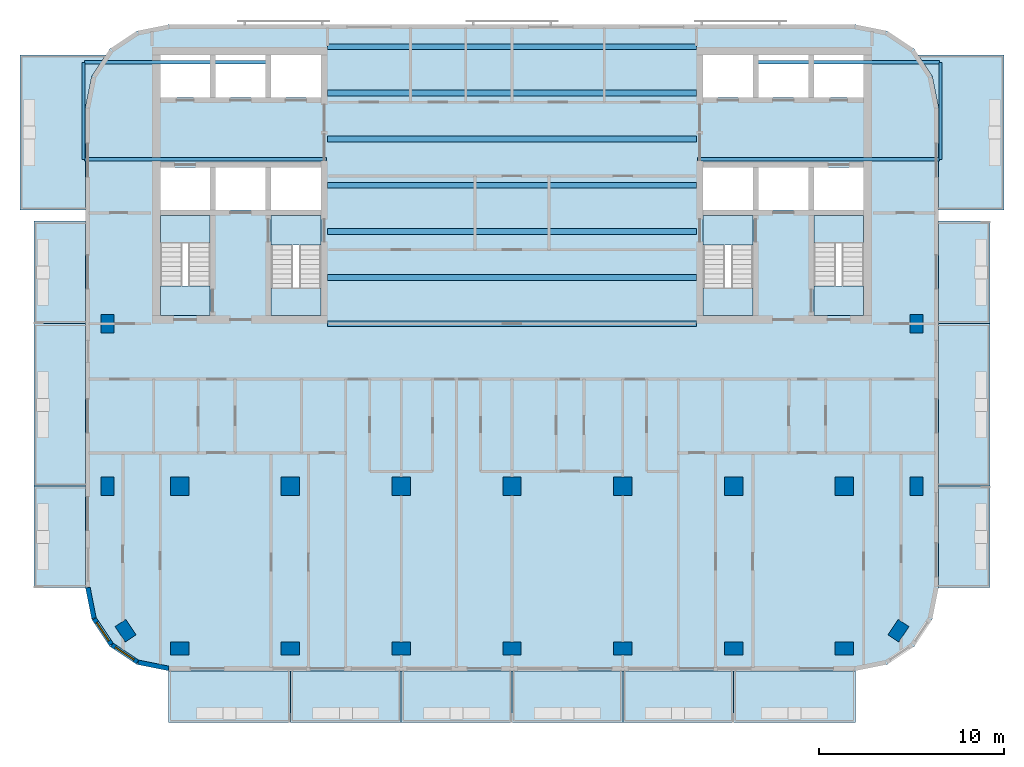
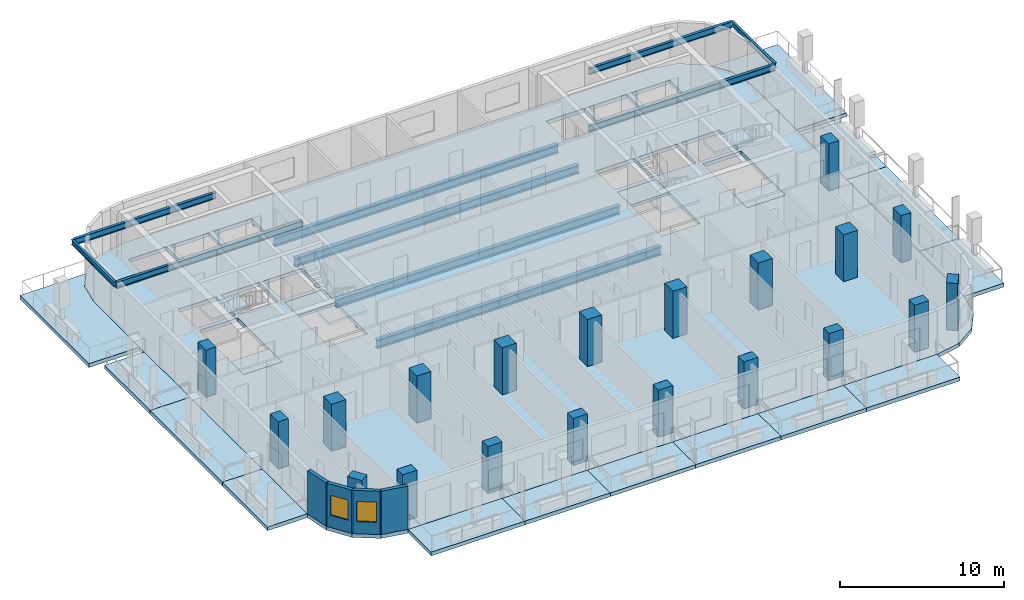
# One storey, part 1 of 11: 23 slabs, 20 columns, 13 beams, 4 walls, 2 windows, 2 openings, 4 elements without a shape of their own.
"""IFC4 building model written with IfcOpenShell, lengths in metres."""

from ifc_helpers import new_model, si_unit, direction, frame, frame_2d, origin, origin_2d, place, context, subcontext, project, spatial, polyline, rectangle, i_section, outline, extrude, material, layer, layer_set, material_profile, profile_set, type_object, element, fill, aggregate, save


model = new_model("IFC4")

# Units and contexts
model_context = context("Model", 3, precision=1e-05, world=origin(), true_north=direction((0.0, 1.0)))
body_context = subcontext(model_context, "Body", "Model", "MODEL_VIEW")
ifc_project = project(units=[si_unit("LENGTHUNIT", "METRE"), si_unit("AREAUNIT", "SQUARE_METRE"), si_unit("VOLUMEUNIT", "CUBIC_METRE"), si_unit("PLANEANGLEUNIT", "RADIAN"), si_unit("MASSUNIT", "GRAM", prefix="KILO")], contexts=[model_context])

# Site, building, storey
site_placement = place(None, origin())
site = spatial("IfcSite", under=ifc_project, at=site_placement, CompositionType="ELEMENT")
building_placement = place(site_placement, origin())
building = spatial("IfcBuilding", under=site, at=building_placement, Name="Torana Hotel and Residences", CompositionType="ELEMENT")
storey_placement = place(building_placement, frame((0.0, 0.0, 270.10009765625)))
storey = spatial("IfcBuildingStorey", under=building, at=storey_placement, Name="L71", CompositionType="ELEMENT", Elevation=270.10009765625)

# Columns
ifc_material_1 = material(Name="Concrete C50/60", Category="concrete")
ifc_material_profile_1 = material_profile(ifc_material_1, rectangle(XDim=1.0, YDim=1.0, at=origin_2d()), Name="RC 1000x1000")
ifc_profile_set_1 = profile_set([ifc_material_profile_1], Name="Concrete C50/60")
column_type_1 = type_object("IfcColumnType", Name="COLUMN RC 1000x1000 C50/60", PredefinedType="COLUMN", material=ifc_profile_set_1)
for number, where, z_axis, x_axis, name in (
    (1, (-18.0, -23.800048828125, 0.0), (0.0, 0.0, 1.0), (1.0, 0.0, 0.0), "Column L71"),
    (2, (-12.0, -23.800048828125, 0.0), (0.0, 0.0, 1.0), (1.0, 0.0, 0.0), "Column L71"),
    (3, (-6.0, -23.800048828125, 0.0), (0.0, 0.0, 1.0), (1.0, 0.0, 0.0), "Column L71"),
    (4, (0.0, -23.800048828125, 0.0), (0.0, 0.0, 1.0), (1.0, 0.0, 0.0), "Column L71"),
    (5, (6.0, -23.800048828125, 0.0), (0.0, 0.0, 1.0), (1.0, 0.0, 0.0), "Column L71"),
    (6, (12.0, -23.800048828125, 0.0), (0.0, 0.0, 1.0), (1.0, 0.0, 0.0), "Column L71"),
    (7, (18.0, -23.800048828125, 0.0), (0.0, 0.0, 1.0), (1.0, 0.0, 0.0), "Column L71"),
):
    element("IfcColumn", number, at=place(storey_placement, frame(where, z_axis=z_axis, x_axis=x_axis)), inside=storey, type_object=column_type_1, Name=name, PredefinedType="COLUMN", context=body_context, shape_type="SweptSolid", body=[
        extrude(rectangle(XDim=1.0, YDim=1.0, at=origin_2d()), origin(), (0.0, 0.0, 1.0), 3.5),
    ])
ifc_material_2 = material(Name="Concrete C50/60", Category="concrete")
ifc_material_profile_2 = material_profile(ifc_material_2, rectangle(XDim=1.0, YDim=0.699951171875, at=origin_2d()), Name="RC 1000x700")
ifc_profile_set_2 = profile_set([ifc_material_profile_2], Name="Concrete C50/60")
column_type_2 = type_object("IfcColumnType", Name="COLUMN RC 1000x700 C50/60", PredefinedType="COLUMN", material=ifc_profile_set_2)
for number, where, z_axis, x_axis, name in (
    (8, (-21.89990234375, -23.800048828125, 0.0), (0.0, 0.0, 1.0), (0.0, 1.0, 0.0), "Column L71"),
    (9, (-21.89990234375, -15.0, 0.0), (0.0, 0.0, 1.0), (0.0, 1.0, 0.0), "Column L71"),
    (10, (-20.93310546875, -31.633056640625, 0.0), (0.0, 0.0, 1.0), (-0.555584744817, 0.831459915646, 0.0), "Column L71"),
    (11, (-18.0, -32.60009765625, 0.0), (0.0, 0.0, 1.0), (1.0, 0.0, 0.0), "Column L71"),
    (12, (-12.0, -32.60009765625, 0.0), (0.0, 0.0, 1.0), (1.0, 0.0, 0.0), "Column L71"),
    (13, (-6.0, -32.60009765625, 0.0), (0.0, 0.0, 1.0), (1.0, 0.0, 0.0), "Column L71"),
    (14, (0.0, -32.60009765625, 0.0), (0.0, 0.0, 1.0), (1.0, 0.0, 0.0), "Column L71"),
    (15, (6.0, -32.60009765625, 0.0), (0.0, 0.0, 1.0), (1.0, 0.0, 0.0), "Column L71"),
    (16, (12.0, -32.60009765625, 0.0), (0.0, 0.0, 1.0), (1.0, 0.0, 0.0), "Column L71"),
    (17, (18.0, -32.60009765625, 0.0), (0.0, 0.0, 1.0), (1.0, 0.0, 0.0), "Column L71"),
    (18, (20.93310546875, -31.633056640625, 0.0), (0.0, 0.0, 1.0), (0.555584744817, 0.831459915646, 0.0), "Column L71"),
    (19, (21.89990234375, -23.800048828125, 0.0), (0.0, 0.0, 1.0), (0.0, 1.0, 0.0), "Column L71"),
    (20, (21.89990234375, -15.0, 0.0), (0.0, 0.0, 1.0), (0.0, 1.0, 0.0), "Column L71"),
):
    element("IfcColumn", number, at=place(storey_placement, frame(where, z_axis=z_axis, x_axis=x_axis)), inside=storey, type_object=column_type_2, Name=name, PredefinedType="COLUMN", context=body_context, shape_type="SweptSolid", body=[
        extrude(rectangle(XDim=1.0, YDim=0.699951171875, at=origin_2d()), origin(), (0.0, 0.0, 1.0), 3.5),
    ])

# Beams
ifc_material_3 = material(Name="Steel S355", Category="steel")
ifc_material_profile_3 = material_profile(ifc_material_3, i_section(OverallWidth=0.19287109375, OverallDepth=0.46728515625, WebThickness=0.011474609375, FlangeThickness=0.01953125, FilletRadius=0.01025390625, at=origin_2d()), Name="457x191x98 UB")
ifc_profile_set_3 = profile_set([ifc_material_profile_3], Name="Steel S355")
beam_type_1 = type_object("IfcBeamType", Name="BALCONY CANTILEVER BEAM 457x191x98 UB", PredefinedType="BEAM", material=ifc_profile_set_3)
beam_1_placement = place(storey_placement, frame((-23.1484375, -6.10009765625, 2.986328125), z_axis=(1.0, 0.0, 0.0), x_axis=(0.0, 1.0, 0.0)))
element("IfcBeam", 21, at=beam_1_placement, inside=storey, type_object=beam_type_1, Name="Balcony cantilever beam", PredefinedType="BEAM", context=body_context, shape_type="SweptSolid", body=[
    extrude(i_section(OverallWidth=0.19287109375, OverallDepth=0.46728515625, WebThickness=0.011474609375, FlangeThickness=0.01953125, FilletRadius=0.01025390625, at=origin_2d()), origin(), (0.0, 0.0, 1.0), 13.098388671875),
])
beam_2_placement = place(storey_placement, frame((-23.1484375, -0.85009765625, 2.986328125), z_axis=(1.0, 0.0, 0.0), x_axis=(0.0, 1.0, 0.0)))
element("IfcBeam", 22, at=beam_2_placement, inside=storey, type_object=beam_type_1, Name="Balcony cantilever beam", PredefinedType="BEAM", context=body_context, shape_type="SweptSolid", body=[
    extrude(i_section(OverallWidth=0.19287109375, OverallDepth=0.46728515625, WebThickness=0.011474609375, FlangeThickness=0.01953125, FilletRadius=0.01025390625, at=origin_2d()), origin(), (0.0, 0.0, 1.0), 10.04833984375),
])
beam_3_placement = place(storey_placement, frame((23.1484375, -6.10009765625, 2.986328125), z_axis=(-1.0, 0.0, 0.0), x_axis=(0.0, -1.0, 0.0)))
element("IfcBeam", 23, at=beam_3_placement, inside=storey, type_object=beam_type_1, Name="Balcony cantilever beam", PredefinedType="BEAM", context=body_context, shape_type="SweptSolid", body=[
    extrude(i_section(OverallWidth=0.19287109375, OverallDepth=0.46728515625, WebThickness=0.011474609375, FlangeThickness=0.01953125, FilletRadius=0.01025390625, at=origin_2d()), origin(), (0.0, 0.0, 1.0), 13.098388671875),
])
beam_4_placement = place(storey_placement, frame((23.1484375, -0.85009765625, 2.986328125), z_axis=(-1.0, 0.0, 0.0), x_axis=(0.0, -1.0, 0.0)))
element("IfcBeam", 24, at=beam_4_placement, inside=storey, type_object=beam_type_1, Name="Balcony cantilever beam", PredefinedType="BEAM", context=body_context, shape_type="SweptSolid", body=[
    extrude(i_section(OverallWidth=0.19287109375, OverallDepth=0.46728515625, WebThickness=0.011474609375, FlangeThickness=0.01953125, FilletRadius=0.01025390625, at=origin_2d()), origin(), (0.0, 0.0, 1.0), 10.04833984375),
])
ifc_material_4 = material(Name="Steel S355", Category="steel")
ifc_material_profile_4 = material_profile(ifc_material_4, i_section(OverallWidth=0.173095703125, OverallDepth=0.36328125, WebThickness=0.009033203125, FlangeThickness=0.015625, FilletRadius=0.01025390625, at=origin_2d()), Name="356x171x67 UB")
ifc_profile_set_4 = profile_set([ifc_material_profile_4], Name="Steel S355")
beam_type_2 = type_object("IfcBeamType", Name="BALCONY TIP BEAM 356x171x67 UB", PredefinedType="BEAM", material=ifc_profile_set_4)
for number, where, z_axis, x_axis, name in (
    (25, (-23.205078125, -6.10009765625, 3.0380859375), (0.0, 1.0, 0.0), (-1.0, 0.0, 0.0), "Balcony tip beam"),
    (26, (23.205078125, -6.10009765625, 3.0380859375), (0.0, 1.0, 0.0), (-1.0, 0.0, 0.0), "Balcony tip beam"),
):
    element("IfcBeam", number, at=place(storey_placement, frame(where, z_axis=z_axis, x_axis=x_axis)), inside=storey, type_object=beam_type_2, Name=name, PredefinedType="BEAM", context=body_context, shape_type="SweptSolid", body=[
        extrude(i_section(OverallWidth=0.173095703125, OverallDepth=0.36328125, WebThickness=0.009033203125, FlangeThickness=0.015625, FilletRadius=0.01025390625, at=origin_2d()), origin(), (0.0, 0.0, 1.0), 5.25),
    ])
ifc_material_5 = material(Name="Steel S355", Category="steel")
ifc_material_profile_5 = material_profile(ifc_material_5, i_section(OverallWidth=0.311279296875, OverallDepth=0.6357421875, WebThickness=0.018310546875, FlangeThickness=0.031494140625, FilletRadius=0.0166015625, at=origin_2d()), Name="610x305x238 UB")
ifc_profile_set_5 = profile_set([ifc_material_profile_5], Name="Steel S355")
beam_type_3 = type_object("IfcBeamType", Name="STEEL GIRDER 610x305x238 UB", PredefinedType="BEAM", material=ifc_profile_set_5)
for number, where, z_axis, x_axis, name in (
    (27, (-10.0, -15.0, -0.597900390625), (1.0, 0.0, 0.0), (0.0, 1.0, 0.0), "Floor girder"),
    (28, (-10.0, -12.5, -0.597900390625), (1.0, 0.0, 0.0), (0.0, 1.0, 0.0), "Floor girder"),
    (29, (-10.0, -10.0, -0.597900390625), (1.0, 0.0, 0.0), (0.0, 1.0, 0.0), "Floor girder"),
    (30, (-10.0, -7.5, -0.597900390625), (1.0, 0.0, 0.0), (0.0, 1.0, 0.0), "Floor girder"),
    (31, (-10.0, -5.0, -0.597900390625), (1.0, 0.0, 0.0), (0.0, 1.0, 0.0), "Floor girder"),
    (32, (-10.0, -2.5, -0.597900390625), (1.0, 0.0, 0.0), (0.0, 1.0, 0.0), "Floor girder"),
    (33, (-10.0, 0.0, -0.597900390625), (1.0, 0.0, 0.0), (0.0, 1.0, 0.0), "Floor girder"),
):
    element("IfcBeam", number, at=place(storey_placement, frame(where, z_axis=z_axis, x_axis=x_axis)), inside=storey, type_object=beam_type_3, Name=name, PredefinedType="BEAM", context=body_context, shape_type="SweptSolid", body=[
        extrude(i_section(OverallWidth=0.311279296875, OverallDepth=0.6357421875, WebThickness=0.018310546875, FlangeThickness=0.031494140625, FilletRadius=0.0166015625, at=origin_2d()), origin(), (0.0, 0.0, 1.0), 20.0),
    ])

# Slabs
ifc_material_6 = material(Name="Concrete C40/50", Category="concrete")
ifc_layer_1 = layer(ifc_material_6, 0.280029296875)
ifc_layer_set_1 = layer_set([ifc_layer_1], Name="BAL1 BALCONY SLAB 280")
slab_type_1 = type_object("IfcSlabType", Name="BAL1 BALCONY SLAB 280", PredefinedType="USERDEFINED", material=ifc_layer_set_1)
slab_1_placement = place(storey_placement, frame((0.0, 0.0, -0.280029296875)))
element("IfcSlab", 34, at=slab_1_placement, inside=storey, type_object=slab_type_1, Name="Balcony 01", ObjectType="BALCONY", PredefinedType="USERDEFINED", context=body_context, shape_type="SweptSolid", body=[
    extrude(outline(polyline([(-18.60009765625, -36.60009765625), (-12.0, -36.60009765625), (-12.0, -33.800048828125), (-18.60009765625, -33.800048828125), (-18.60009765625, -36.60009765625)])), origin(), (0.0, 0.0, 1.0), 0.280029296875),
])
slab_2_placement = place(storey_placement, frame((0.0, 0.0, -0.280029296875)))
element("IfcSlab", 35, at=slab_2_placement, inside=storey, type_object=slab_type_1, Name="Balcony 02", ObjectType="BALCONY", PredefinedType="USERDEFINED", context=body_context, shape_type="SweptSolid", body=[
    extrude(outline(polyline([(-12.0, -36.60009765625), (-6.0, -36.60009765625), (-6.0, -33.800048828125), (-12.0, -33.800048828125), (-12.0, -36.60009765625)])), origin(), (0.0, 0.0, 1.0), 0.280029296875),
])
slab_3_placement = place(storey_placement, frame((0.0, 0.0, -0.280029296875)))
element("IfcSlab", 36, at=slab_3_placement, inside=storey, type_object=slab_type_1, Name="Balcony 03", ObjectType="BALCONY", PredefinedType="USERDEFINED", context=body_context, shape_type="SweptSolid", body=[
    extrude(outline(polyline([(-6.0, -36.60009765625), (0.0, -36.60009765625), (0.0, -33.800048828125), (-6.0, -33.800048828125), (-6.0, -36.60009765625)])), origin(), (0.0, 0.0, 1.0), 0.280029296875),
])
slab_4_placement = place(storey_placement, frame((0.0, 0.0, -0.280029296875)))
element("IfcSlab", 37, at=slab_4_placement, inside=storey, type_object=slab_type_1, Name="Balcony 04", ObjectType="BALCONY", PredefinedType="USERDEFINED", context=body_context, shape_type="SweptSolid", body=[
    extrude(outline(polyline([(0.0, -36.60009765625), (6.0, -36.60009765625), (6.0, -33.800048828125), (0.0, -33.800048828125), (0.0, -36.60009765625)])), origin(), (0.0, 0.0, 1.0), 0.280029296875),
])
slab_5_placement = place(storey_placement, frame((0.0, 0.0, -0.280029296875)))
element("IfcSlab", 38, at=slab_5_placement, inside=storey, type_object=slab_type_1, Name="Balcony 05", ObjectType="BALCONY", PredefinedType="USERDEFINED", context=body_context, shape_type="SweptSolid", body=[
    extrude(outline(polyline([(6.0, -36.60009765625), (12.0, -36.60009765625), (12.0, -33.800048828125), (6.0, -33.800048828125), (6.0, -36.60009765625)])), origin(), (0.0, 0.0, 1.0), 0.280029296875),
])
slab_6_placement = place(storey_placement, frame((0.0, 0.0, -0.280029296875)))
element("IfcSlab", 39, at=slab_6_placement, inside=storey, type_object=slab_type_1, Name="Balcony 06", ObjectType="BALCONY", PredefinedType="USERDEFINED", context=body_context, shape_type="SweptSolid", body=[
    extrude(outline(polyline([(12.0, -36.60009765625), (18.60009765625, -36.60009765625), (18.60009765625, -33.800048828125), (12.0, -33.800048828125), (12.0, -36.60009765625)])), origin(), (0.0, 0.0, 1.0), 0.280029296875),
])
slab_7_placement = place(storey_placement, frame((0.0, 0.0, -0.280029296875)))
element("IfcSlab", 40, at=slab_7_placement, inside=storey, type_object=slab_type_1, Name="Balcony 07", ObjectType="BALCONY", PredefinedType="USERDEFINED", context=body_context, shape_type="SweptSolid", body=[
    extrude(outline(polyline([(-25.89990234375, -29.300048828125), (-23.10009765625, -29.300048828125), (-23.10009765625, -23.800048828125), (-25.89990234375, -23.800048828125), (-25.89990234375, -29.300048828125)])), origin(), (0.0, 0.0, 1.0), 0.280029296875),
])
slab_8_placement = place(storey_placement, frame((0.0, 0.0, -0.280029296875)))
element("IfcSlab", 41, at=slab_8_placement, inside=storey, type_object=slab_type_1, Name="Balcony 08", ObjectType="BALCONY", PredefinedType="USERDEFINED", context=body_context, shape_type="SweptSolid", body=[
    extrude(outline(polyline([(-25.89990234375, -23.800048828125), (-23.10009765625, -23.800048828125), (-23.10009765625, -15.0), (-25.89990234375, -15.0), (-25.89990234375, -23.800048828125)])), origin(), (0.0, 0.0, 1.0), 0.280029296875),
])
slab_9_placement = place(storey_placement, frame((0.0, 0.0, -0.280029296875)))
element("IfcSlab", 42, at=slab_9_placement, inside=storey, type_object=slab_type_1, Name="Balcony 09", ObjectType="BALCONY", PredefinedType="USERDEFINED", context=body_context, shape_type="SweptSolid", body=[
    extrude(outline(polyline([(-25.89990234375, -15.0), (-23.10009765625, -15.0), (-23.10009765625, -9.449951171875), (-25.89990234375, -9.449951171875), (-25.89990234375, -15.0)])), origin(), (0.0, 0.0, 1.0), 0.280029296875),
])
slab_10_placement = place(storey_placement, frame((0.0, 0.0, -0.280029296875)))
element("IfcSlab", 43, at=slab_10_placement, inside=storey, type_object=slab_type_1, Name="Balcony 10", ObjectType="BALCONY", PredefinedType="USERDEFINED", context=body_context, shape_type="SweptSolid", body=[
    extrude(outline(polyline([(-26.64990234375, -8.85009765625), (-23.10009765625, -8.85009765625), (-23.10009765625, -3.300048828125), (-22.757568359375, -1.577880859375), (-22.00390625, -0.449951171875), (-26.64990234375, -0.449951171875), (-26.64990234375, -8.85009765625)])), origin(), (0.0, 0.0, 1.0), 0.280029296875),
])
slab_11_placement = place(storey_placement, frame((0.0, 0.0, -0.280029296875)))
element("IfcSlab", 44, at=slab_11_placement, inside=storey, type_object=slab_type_1, Name="Balcony 11", ObjectType="BALCONY", PredefinedType="USERDEFINED", context=body_context, shape_type="SweptSolid", body=[
    extrude(outline(polyline([(23.10009765625, -29.300048828125), (25.89990234375, -29.300048828125), (25.89990234375, -23.800048828125), (23.10009765625, -23.800048828125), (23.10009765625, -29.300048828125)])), origin(), (0.0, 0.0, 1.0), 0.280029296875),
])
slab_12_placement = place(storey_placement, frame((0.0, 0.0, -0.280029296875)))
element("IfcSlab", 45, at=slab_12_placement, inside=storey, type_object=slab_type_1, Name="Balcony 12", ObjectType="BALCONY", PredefinedType="USERDEFINED", context=body_context, shape_type="SweptSolid", body=[
    extrude(outline(polyline([(23.10009765625, -23.800048828125), (25.89990234375, -23.800048828125), (25.89990234375, -15.0), (23.10009765625, -15.0), (23.10009765625, -23.800048828125)])), origin(), (0.0, 0.0, 1.0), 0.280029296875),
])
slab_13_placement = place(storey_placement, frame((0.0, 0.0, -0.280029296875)))
element("IfcSlab", 46, at=slab_13_placement, inside=storey, type_object=slab_type_1, Name="Balcony 13", ObjectType="BALCONY", PredefinedType="USERDEFINED", context=body_context, shape_type="SweptSolid", body=[
    extrude(outline(polyline([(23.10009765625, -15.0), (25.89990234375, -15.0), (25.89990234375, -9.449951171875), (23.10009765625, -9.449951171875), (23.10009765625, -15.0)])), origin(), (0.0, 0.0, 1.0), 0.280029296875),
])
slab_14_placement = place(storey_placement, frame((0.0, 0.0, -0.280029296875)))
element("IfcSlab", 47, at=slab_14_placement, inside=storey, type_object=slab_type_1, Name="Balcony 14", ObjectType="BALCONY", PredefinedType="USERDEFINED", context=body_context, shape_type="SweptSolid", body=[
    extrude(outline(polyline([(23.10009765625, -8.85009765625), (26.64990234375, -8.85009765625), (26.64990234375, -0.449951171875), (22.00390625, -0.449951171875), (22.757568359375, -1.577880859375), (23.10009765625, -3.300048828125), (23.10009765625, -8.85009765625)])), origin(), (0.0, 0.0, 1.0), 0.280029296875),
])
ifc_material_7 = material(Name="Concrete C40/50", Category="concrete")
ifc_layer_2 = layer(ifc_material_7, 0.280029296875)
ifc_layer_set_2 = layer_set([ifc_layer_2], Name="FLOOR SLAB PT 280")
slab_type_2 = type_object("IfcSlabType", Name="FLOOR SLAB PT 280", PredefinedType="FLOOR", material=ifc_layer_set_2)
slab_15_placement = place(storey_placement, frame((0.0, 0.0, -0.280029296875)))
element("IfcSlab", 48, at=slab_15_placement, inside=storey, type_object=slab_type_2, Name="Floor slab", PredefinedType="FLOOR", context=body_context, shape_type="SweptSolid", body=[
    extrude(outline(polyline([(23.10009765625, -3.300048828125), (22.757568359375, -1.577880859375), (21.781982421875, -0.117919921875), (20.322021484375, 0.857421875), (18.60009765625, 1.199951171875), (-18.60009765625, 1.199951171875), (-20.322021484375, 0.857421875), (-21.781982421875, -0.117919921875), (-22.757568359375, -1.577880859375), (-23.10009765625, -3.300048828125), (-23.10009765625, -29.300048828125), (-22.757568359375, -31.022216796875), (-21.781982421875, -32.48193359375), (-20.322021484375, -33.45751953125), (-18.60009765625, -33.800048828125), (18.60009765625, -33.800048828125), (20.322021484375, -33.45751953125), (21.781982421875, -32.48193359375), (22.757568359375, -31.022216796875), (23.10009765625, -29.300048828125), (23.10009765625, -3.300048828125)]), holes=[polyline([(-13.050048828125, -14.550048828125), (-10.35009765625, -14.550048828125), (-10.35009765625, -9.14990234375), (-13.050048828125, -9.14990234375), (-13.050048828125, -14.550048828125)]), polyline([(-19.050048828125, -14.550048828125), (-16.35009765625, -14.550048828125), (-16.35009765625, -9.14990234375), (-19.050048828125, -9.14990234375), (-19.050048828125, -14.550048828125)]), polyline([(-19.050048828125, -2.75), (-16.35009765625, -2.75), (-16.35009765625, -0.449951171875), (-19.050048828125, -0.449951171875), (-19.050048828125, -2.75)]), polyline([(-13.050048828125, -2.75), (-10.35009765625, -2.75), (-10.35009765625, -0.449951171875), (-13.050048828125, -0.449951171875), (-13.050048828125, -2.75)]), polyline([(-16.050048828125, -2.75), (-13.35009765625, -2.75), (-13.35009765625, -0.449951171875), (-16.050048828125, -0.449951171875), (-16.050048828125, -2.75)]), polyline([(-13.050048828125, -8.85009765625), (-10.35009765625, -8.85009765625), (-10.35009765625, -6.550048828125), (-13.050048828125, -6.550048828125), (-13.050048828125, -8.85009765625)]), polyline([(-16.050048828125, -8.85009765625), (-13.35009765625, -8.85009765625), (-13.35009765625, -6.550048828125), (-16.050048828125, -6.550048828125), (-16.050048828125, -8.85009765625)]), polyline([(-19.050048828125, -8.85009765625), (-16.35009765625, -8.85009765625), (-16.35009765625, -6.550048828125), (-19.050048828125, -6.550048828125), (-19.050048828125, -8.85009765625)]), polyline([(10.35009765625, -14.550048828125), (13.050048828125, -14.550048828125), (13.050048828125, -9.14990234375), (10.35009765625, -9.14990234375), (10.35009765625, -14.550048828125)]), polyline([(16.35009765625, -14.550048828125), (19.050048828125, -14.550048828125), (19.050048828125, -9.14990234375), (16.35009765625, -9.14990234375), (16.35009765625, -14.550048828125)]), polyline([(16.35009765625, -2.75), (19.050048828125, -2.75), (19.050048828125, -0.449951171875), (16.35009765625, -0.449951171875), (16.35009765625, -2.75)]), polyline([(10.35009765625, -2.75), (13.050048828125, -2.75), (13.050048828125, -0.449951171875), (10.35009765625, -0.449951171875), (10.35009765625, -2.75)]), polyline([(13.35009765625, -2.75), (16.050048828125, -2.75), (16.050048828125, -0.449951171875), (13.35009765625, -0.449951171875), (13.35009765625, -2.75)]), polyline([(10.35009765625, -8.85009765625), (13.050048828125, -8.85009765625), (13.050048828125, -6.550048828125), (10.35009765625, -6.550048828125), (10.35009765625, -8.85009765625)]), polyline([(13.35009765625, -8.85009765625), (16.050048828125, -8.85009765625), (16.050048828125, -6.550048828125), (13.35009765625, -6.550048828125), (13.35009765625, -8.85009765625)]), polyline([(16.35009765625, -8.85009765625), (19.050048828125, -8.85009765625), (19.050048828125, -6.550048828125), (16.35009765625, -6.550048828125), (16.35009765625, -8.85009765625)])]), origin(), (0.0, 0.0, 1.0), 0.280029296875),
])

# Stair, slabs
ifc_material_8 = material(Name="Concrete C40/50 precast", Category="concrete")
stair_type_1 = type_object("IfcStairType", Name="STAIR ST1 HALF TURN 1200", PredefinedType="HALF_TURN_STAIR", material=ifc_material_8)
stair_1_placement = place(storey_placement, origin())
stair_1 = element("IfcStair", 49, at=stair_1_placement, inside=storey, type_object=stair_type_1, Name="Stair ST1 L71", PredefinedType="HALF_TURN_STAIR")
ifc_material_9 = material(Name="Concrete C40/50 precast", Category="concrete")
ifc_layer_3 = layer(ifc_material_9, 0.199951171875)
ifc_layer_set_3 = layer_set([ifc_layer_3], Name="STAIR LANDING 200")
slab_type_3 = type_object("IfcSlabType", Name="STAIR LANDING 200", PredefinedType="LANDING", material=ifc_layer_set_3)
slab_16_placement = place(storey_placement, frame((0.0, 0.0, 1.5498046875)))
slab_16 = element("IfcSlab", 50, at=slab_16_placement, type_object=slab_type_3, Name="ST1 landing 1", PredefinedType="LANDING", context=body_context, shape_type="SweptSolid", body=[
    extrude(outline(polyline([(-13.050048828125, -14.550048828125), (-10.35009765625, -14.550048828125), (-10.35009765625, -13.090087890625), (-13.050048828125, -13.090087890625), (-13.050048828125, -14.550048828125)])), origin(), (0.0, 0.0, 1.0), 0.2001953125),
])
slab_17_placement = place(storey_placement, frame((0.0, 0.0, -0.2001953125)))
slab_17 = element("IfcSlab", 51, at=slab_17_placement, type_object=slab_type_3, Name="ST1 landing 2", PredefinedType="LANDING", context=body_context, shape_type="SweptSolid", body=[
    extrude(outline(polyline([(-13.050048828125, -10.75), (-10.35009765625, -10.75), (-10.35009765625, -9.14990234375), (-13.050048828125, -9.14990234375), (-13.050048828125, -10.75)])), origin(), (0.0, 0.0, 1.0), 0.2001953125),
])
aggregate(stair_1, [slab_16, slab_17])

ifc_material_10 = material(Name="Concrete C40/50 precast", Category="concrete")
stair_type_2 = type_object("IfcStairType", Name="STAIR ST2 HALF TURN 1200", PredefinedType="HALF_TURN_STAIR", material=ifc_material_10)
stair_2_placement = place(storey_placement, origin())
stair_2 = element("IfcStair", 52, at=stair_2_placement, inside=storey, type_object=stair_type_2, Name="Stair ST2 L71", PredefinedType="HALF_TURN_STAIR")
slab_18_placement = place(storey_placement, frame((0.0, 0.0, 1.5498046875)))
slab_18 = element("IfcSlab", 53, at=slab_18_placement, type_object=slab_type_3, Name="ST2 landing 1", PredefinedType="LANDING", context=body_context, shape_type="SweptSolid", body=[
    extrude(outline(polyline([(-19.050048828125, -10.610107421875), (-16.35009765625, -10.610107421875), (-16.35009765625, -9.14990234375), (-19.050048828125, -9.14990234375), (-19.050048828125, -10.610107421875)])), origin(), (0.0, 0.0, 1.0), 0.2001953125),
])
slab_19_placement = place(storey_placement, frame((0.0, 0.0, -0.2001953125)))
slab_19 = element("IfcSlab", 54, at=slab_19_placement, type_object=slab_type_3, Name="ST2 landing 2", PredefinedType="LANDING", context=body_context, shape_type="SweptSolid", body=[
    extrude(outline(polyline([(-19.050048828125, -14.550048828125), (-16.35009765625, -14.550048828125), (-16.35009765625, -12.949951171875), (-19.050048828125, -12.949951171875), (-19.050048828125, -14.550048828125)])), origin(), (0.0, 0.0, 1.0), 0.2001953125),
])
aggregate(stair_2, [slab_18, slab_19])

ifc_material_11 = material(Name="Concrete C40/50 precast", Category="concrete")
stair_type_3 = type_object("IfcStairType", Name="STAIR ST3 HALF TURN 1200", PredefinedType="HALF_TURN_STAIR", material=ifc_material_11)
stair_3_placement = place(storey_placement, origin())
stair_3 = element("IfcStair", 55, at=stair_3_placement, inside=storey, type_object=stair_type_3, Name="Stair ST3 L71", PredefinedType="HALF_TURN_STAIR")
slab_20_placement = place(storey_placement, frame((0.0, 0.0, 1.5498046875)))
slab_20 = element("IfcSlab", 56, at=slab_20_placement, type_object=slab_type_3, Name="ST3 landing 1", PredefinedType="LANDING", context=body_context, shape_type="SweptSolid", body=[
    extrude(outline(polyline([(10.35009765625, -14.550048828125), (13.050048828125, -14.550048828125), (13.050048828125, -13.090087890625), (10.35009765625, -13.090087890625), (10.35009765625, -14.550048828125)])), origin(), (0.0, 0.0, 1.0), 0.2001953125),
])
slab_21_placement = place(storey_placement, frame((0.0, 0.0, -0.2001953125)))
slab_21 = element("IfcSlab", 57, at=slab_21_placement, type_object=slab_type_3, Name="ST3 landing 2", PredefinedType="LANDING", context=body_context, shape_type="SweptSolid", body=[
    extrude(outline(polyline([(10.35009765625, -10.75), (13.050048828125, -10.75), (13.050048828125, -9.14990234375), (10.35009765625, -9.14990234375), (10.35009765625, -10.75)])), origin(), (0.0, 0.0, 1.0), 0.2001953125),
])
aggregate(stair_3, [slab_20, slab_21])

ifc_material_12 = material(Name="Concrete C40/50 precast", Category="concrete")
stair_type_4 = type_object("IfcStairType", Name="STAIR ST4 HALF TURN 1200", PredefinedType="HALF_TURN_STAIR", material=ifc_material_12)
stair_4_placement = place(storey_placement, origin())
stair_4 = element("IfcStair", 58, at=stair_4_placement, inside=storey, type_object=stair_type_4, Name="Stair ST4 L71", PredefinedType="HALF_TURN_STAIR")
slab_22_placement = place(storey_placement, frame((0.0, 0.0, 1.5498046875)))
slab_22 = element("IfcSlab", 59, at=slab_22_placement, type_object=slab_type_3, Name="ST4 landing 1", PredefinedType="LANDING", context=body_context, shape_type="SweptSolid", body=[
    extrude(outline(polyline([(16.35009765625, -10.610107421875), (19.050048828125, -10.610107421875), (19.050048828125, -9.14990234375), (16.35009765625, -9.14990234375), (16.35009765625, -10.610107421875)])), origin(), (0.0, 0.0, 1.0), 0.2001953125),
])
slab_23_placement = place(storey_placement, frame((0.0, 0.0, -0.2001953125)))
slab_23 = element("IfcSlab", 60, at=slab_23_placement, type_object=slab_type_3, Name="ST4 landing 2", PredefinedType="LANDING", context=body_context, shape_type="SweptSolid", body=[
    extrude(outline(polyline([(16.35009765625, -14.550048828125), (19.050048828125, -14.550048828125), (19.050048828125, -12.949951171875), (16.35009765625, -12.949951171875), (16.35009765625, -14.550048828125)])), origin(), (0.0, 0.0, 1.0), 0.2001953125),
])
aggregate(stair_4, [slab_22, slab_23])

# Wall
ifc_material_13 = material(Name="Black aluminium composite panel", Category="aluminium")
ifc_layer_4 = layer(ifc_material_13, 0.00390625, Name="Cladding", Category="cladding")
ifc_material_14 = material(Name="Ventilated air cavity")
ifc_layer_5 = layer(ifc_material_14, 0.0400390625, Name="Ventilated cavity", Category="cavity")
ifc_material_15 = material(Name="Mineral wool insulation")
ifc_layer_6 = layer(ifc_material_15, 0.090087890625, Name="Insulation", Category="insulation")
ifc_material_16 = material(Name="Steel S280GD", Category="steel")
ifc_layer_7 = layer(ifc_material_16, 0.092041015625, Name="Steel stud frame", Category="structure")
ifc_material_17 = material(Name="Fire rated plasterboard")
ifc_layer_8 = layer(ifc_material_17, 0.011962890625, Name="Inner board", Category="finish")
ifc_layer_9 = layer(ifc_material_17, 0.011962890625, Name="Second board", Category="finish")
ifc_layer_set_4 = layer_set([ifc_layer_4, ifc_layer_5, ifc_layer_6, ifc_layer_7, ifc_layer_8, ifc_layer_9], Name="EW1 EXTERNAL WALL BLACK METAL CLAD 250")
wall_type = type_object("IfcWallType", Name="EW1 EXTERNAL WALL BLACK METAL CLAD 250", PredefinedType="SOLIDWALL", material=ifc_layer_set_4)
wall_1_placement = place(storey_placement, frame((-22.97265625, -29.2998046875, 0.0), z_axis=(0.0, 0.0, 1.0), x_axis=(0.19513878023, -0.980775640221, 0.0)))
element("IfcWall", 61, at=wall_1_placement, inside=storey, type_object=wall_type, Name="External wall L71 e0.10", PredefinedType="SOLIDWALL", context=body_context, shape_type="SweptSolid", body=[
    extrude(rectangle(XDim=1.681396484375, YDim=0.25, at=frame_2d((0.8408203125, 0.0))), origin(), (0.0, 0.0, 1.0), 3.219970703125),
])

# Wall, opening, window
wall_2_placement = place(storey_placement, frame((-22.6259765625, -30.993896484375, 0.0), z_axis=(0.0, 0.0, 1.0), x_axis=(0.55555029066, -0.831482937015, 0.0)))
wall_2 = element("IfcWall", 62, at=wall_2_placement, inside=storey, type_object=wall_type, Name="External wall L71 e0.11", PredefinedType="SOLIDWALL", context=body_context, shape_type="SweptSolid", body=[
    extrude(rectangle(XDim=1.65625, YDim=0.25, at=frame_2d((0.828125, 0.0))), origin(), (0.0, 0.0, 1.0), 3.219970703125),
])
opening_1_placement = place(wall_2_placement, frame((0.228271484375, 0.0, 0.89990234375)))
opening_1 = element("IfcOpeningElement", 63, at=opening_1_placement, cuts=wall_2, Name="Opening W5", PredefinedType="OPENING", context=body_context, shape_type="SweptSolid", body=[
    extrude(rectangle(XDim=1.199951171875, YDim=1.5, at=frame_2d((0.60009765625, 0.75))), frame((0.0, 0.135009765625, 0.0), z_axis=(0.0, -1.0, 0.0), x_axis=(1.0, 0.0, 0.0)), (0.0, 0.0, 1.0), 0.27001953125),
])
ifc_material_18 = material(Name="Dark glass in black aluminium frame", Category="aluminium")
window_type = type_object("IfcWindowType", Name="W5 CORNER FACET WINDOW 1200x1500", PartitioningType="SINGLE_PANEL", PredefinedType="WINDOW", material=ifc_material_18)
window_1_placement = place(opening_1_placement, origin())
window_1 = element("IfcWindow", 64, at=window_1_placement, inside=storey, type_object=window_type, Name="Window L71 e0.11", OverallHeight=1.5, OverallWidth=1.199951171875, PartitioningType="SINGLE_PANEL", PredefinedType="WINDOW", context=body_context, shape_type="SweptSolid", body=[
    extrude(rectangle(XDim=1.199951171875, YDim=1.5, at=frame_2d((0.60009765625, 0.75))), frame((0.0, 0.030029296875, 0.0), z_axis=(0.0, -1.0, 0.0), x_axis=(1.0, 0.0, 0.0)), (0.0, 0.0, 1.0), 0.06005859375),
])
fill(opening_1, window_1)

wall_3_placement = place(storey_placement, frame((-21.671142578125, -32.40576171875, 0.0), z_axis=(0.0, 0.0, 1.0), x_axis=(0.831482937015, -0.55555029066, 0.0)))
wall_3 = element("IfcWall", 65, at=wall_3_placement, inside=storey, type_object=wall_type, Name="External wall L71 e0.12", PredefinedType="SOLIDWALL", context=body_context, shape_type="SweptSolid", body=[
    extrude(rectangle(XDim=1.65625, YDim=0.25, at=frame_2d((0.828125, 0.0))), origin(), (0.0, 0.0, 1.0), 3.219970703125),
])
opening_2_placement = place(wall_3_placement, frame((0.228271484375, 0.0, 0.89990234375)))
opening_2 = element("IfcOpeningElement", 66, at=opening_2_placement, cuts=wall_3, Name="Opening W5", PredefinedType="OPENING", context=body_context, shape_type="SweptSolid", body=[
    extrude(rectangle(XDim=1.199951171875, YDim=1.5, at=frame_2d((0.60009765625, 0.75))), frame((0.0, 0.135009765625, 0.0), z_axis=(0.0, -1.0, 0.0), x_axis=(1.0, 0.0, 0.0)), (0.0, 0.0, 1.0), 0.27001953125),
])
window_2_placement = place(opening_2_placement, origin())
window_2 = element("IfcWindow", 67, at=window_2_placement, inside=storey, type_object=window_type, Name="Window L71 e0.12", OverallHeight=1.5, OverallWidth=1.199951171875, PartitioningType="SINGLE_PANEL", PredefinedType="WINDOW", context=body_context, shape_type="SweptSolid", body=[
    extrude(rectangle(XDim=1.199951171875, YDim=1.5, at=frame_2d((0.60009765625, 0.75))), frame((0.0, 0.030029296875, 0.0), z_axis=(0.0, -1.0, 0.0), x_axis=(1.0, 0.0, 0.0)), (0.0, 0.0, 1.0), 0.06005859375),
])
fill(opening_2, window_2)

# Wall
wall_4_placement = place(storey_placement, frame((-20.248779296875, -33.344482421875, 0.0), z_axis=(0.0, 0.0, 1.0), x_axis=(0.980770110232, -0.195166572128, 0.0)))
element("IfcWall", 68, at=wall_4_placement, inside=storey, type_object=wall_type, Name="External wall L71 e0.13", PredefinedType="SOLIDWALL", context=body_context, shape_type="SweptSolid", body=[
    extrude(rectangle(XDim=1.68115234375, YDim=0.25, at=frame_2d((0.840576171875, 0.0))), origin(), (0.0, 0.0, 1.0), 3.219970703125),
])

save(model, "model.ifc")
